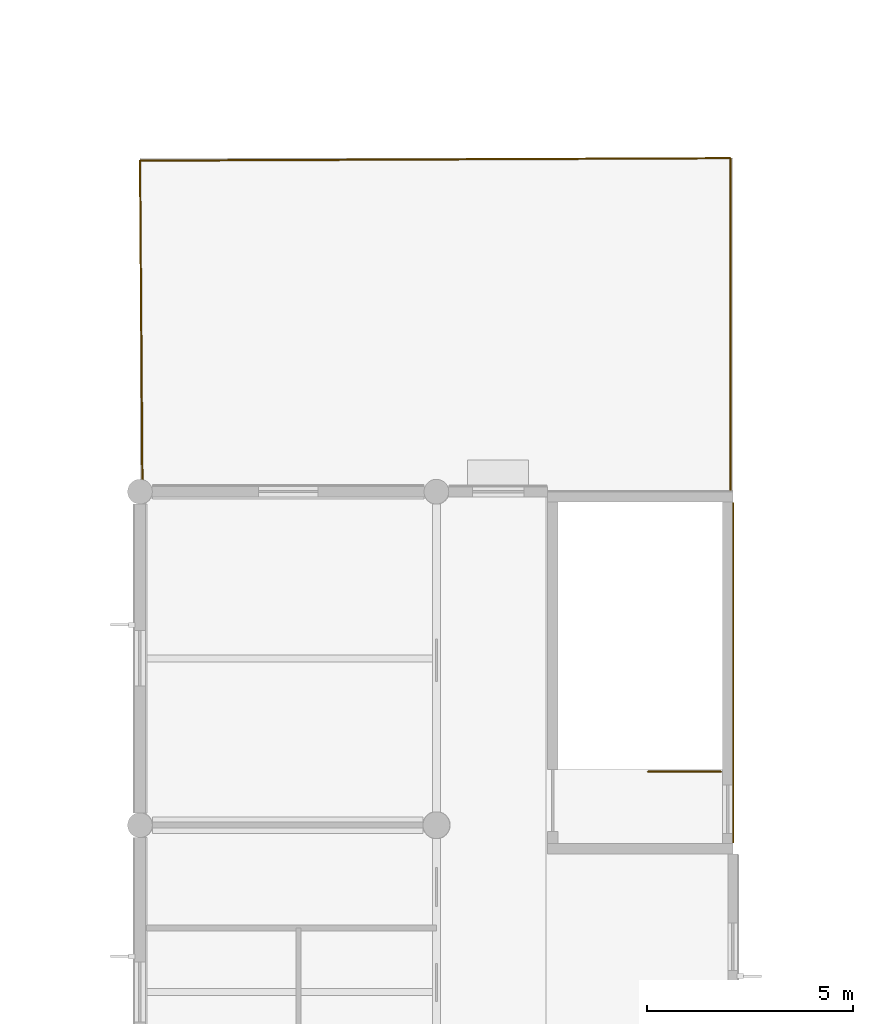
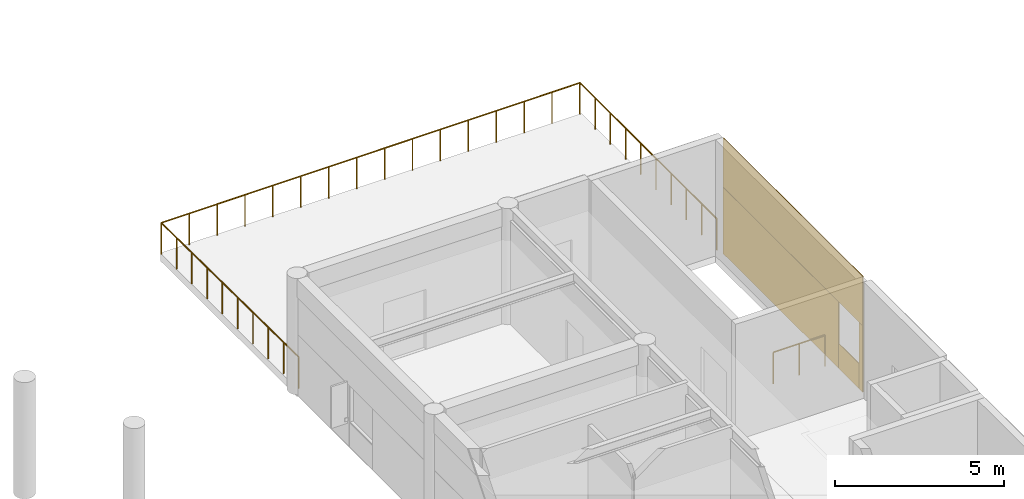
# One storey, part 55 of 55: 4 coverings, 2 railings.
"""IFC4 building model written with IfcOpenShell, lengths in metres."""

import ifcopenshell
import ifcopenshell.guid

model = None  # the IFC model being written
_history = None  # IfcOwnerHistory: only IFC2X3 demands one
_inside = {}  # id of a spatial element -> (the spatial element, [elements in it])
_under = {}  # id of a project, library or spatial element -> (it, [spatial elements below it])
_declared = {}  # id of a project -> (the project, [libraries it declares])
_typed = {}  # id of a type object -> (the type object, [elements of that type])
_made_of = {}  # id of a material, layer set ... -> (it, [elements and type objects made of it])


def new_model(schema):
    """Start an empty IFC model of exactly this schema.

    Asked for "IFC4X3", IfcOpenShell would pick the latest addendum, in which some entities
    have other attributes; the version numbers below select the first issue.
    IFC2X3 requires an IfcOwnerHistory on every rooted entity: one is made here for all.
    """
    global model, _history
    if schema == "IFC4X3":
        model = ifcopenshell.file(schema_version=(4, 3, 0, 0))
    else:
        model = ifcopenshell.file(schema=schema)
    _inside.clear()
    _under.clear()
    _declared.clear()
    _typed.clear()
    _made_of.clear()
    _history = None
    if model.schema == "IFC2X3":
        org = make("IfcOrganization", Name="unknown")
        user = make(
            "IfcPersonAndOrganization",
            ThePerson=make("IfcPerson", FamilyName="unknown"),
            TheOrganization=org,
        )
        app = make(
            "IfcApplication",
            ApplicationDeveloper=org,
            Version="unknown",
            ApplicationFullName="unknown",
            ApplicationIdentifier="unknown",
        )
        _history = make(
            "IfcOwnerHistory",
            OwningUser=user,
            OwningApplication=app,
            ChangeAction="ADDED",
            CreationDate=0,
        )
    return model


def make(cls, **values):
    """One entity of the class cls with the attributes given. An attribute that is None is left unset."""
    return model.create_entity(
        cls, **{name: value for name, value in values.items() if value is not None}
    )


def rooted(cls, **values):
    """An entity with a GlobalId (a new one), such as an element, a storey or a relation."""
    return make(cls, GlobalId=ifcopenshell.guid.new(), OwnerHistory=_history, **values)


def si_unit(unit_type, name, prefix=None):
    """IfcSIUnit, for example si_unit("LENGTHUNIT", "METRE", prefix="MILLI")."""
    return make("IfcSIUnit", UnitType=unit_type, Prefix=prefix, Name=name)


def assignment(units):
    """IfcUnitAssignment: the units of a project."""
    return None if units is None else make("IfcUnitAssignment", Units=units)


def point(xyz):
    """IfcCartesianPoint."""
    return None if xyz is None else make("IfcCartesianPoint", Coordinates=xyz)


def direction(xyz):
    """IfcDirection."""
    return None if xyz is None else make("IfcDirection", DirectionRatios=xyz)


def frame(location, z_axis=None, x_axis=None):
    """IfcAxis2Placement3D, a coordinate frame: its origin and axes. An axis left out is left unset."""
    return make(
        "IfcAxis2Placement3D",
        Location=point(location),
        Axis=direction(z_axis),
        RefDirection=direction(x_axis),
    )


def frame_2d(location, x_axis=None):
    """IfcAxis2Placement2D, a coordinate frame in the plane: its origin and x axis."""
    return make(
        "IfcAxis2Placement2D", Location=point(location), RefDirection=direction(x_axis)
    )


def origin():
    """The frame at (0, 0, 0) with its axes left unset."""
    return frame((0.0, 0.0, 0.0))


def origin_2d():
    """The frame at (0, 0) in the plane with its x axis left unset."""
    return frame_2d((0.0, 0.0))


def place(relative_to, where):
    """IfcLocalPlacement: puts the frame where relative to a parent placement (None: the world)."""
    return make(
        "IfcLocalPlacement", PlacementRelTo=relative_to, RelativePlacement=where
    )


def context(
    kind, dimensions, precision=None, world=None, true_north=None, identifier=None
):
    """IfcGeometricRepresentationContext, for example the 3D "Model" context."""
    return make(
        "IfcGeometricRepresentationContext",
        ContextIdentifier=identifier,
        ContextType=kind,
        CoordinateSpaceDimension=dimensions,
        Precision=precision,
        WorldCoordinateSystem=world,
        TrueNorth=true_north,
    )


def subcontext(parent, identifier, kind, view, scale=None):
    """IfcGeometricRepresentationSubContext, for example "Body" below "Model"."""
    return make(
        "IfcGeometricRepresentationSubContext",
        ContextIdentifier=identifier,
        ContextType=kind,
        ParentContext=parent,
        TargetScale=scale,
        TargetView=view,
    )


def project(units=None, contexts=None):
    """IfcProject with its units and contexts."""
    return rooted(
        "IfcProject",
        Name="project",
        RepresentationContexts=contexts,
        UnitsInContext=assignment(units),
    )


def spatial(cls, under=None, at=None, **own):
    """A site, building, storey or space (cls), placed at a placement, below another one or the project."""
    s = rooted(cls, ObjectPlacement=at, **own)
    if under is not None:
        _under.setdefault(under.id(), (under, []))[1].append(s)
    return s


def profile(cls, at=None, kind="AREA", **sizes):
    """A parametric profile (cls). Its sizes go by their IFC names, for example OverallWidth=200.0."""
    return make(cls, ProfileType=kind, Position=at, **sizes)


def rectangle(**sizes):
    """IfcRectangleProfileDef."""
    return profile("IfcRectangleProfileDef", **sizes)


def circle(**sizes):
    """IfcCircleProfileDef."""
    return profile("IfcCircleProfileDef", **sizes)


def extrude(swept, where, along, depth):
    """IfcExtrudedAreaSolid: the profile swept, set in the frame where, extruded along a direction by depth."""
    return make(
        "IfcExtrudedAreaSolid",
        SweptArea=swept,
        Position=where,
        ExtrudedDirection=direction(along),
        Depth=depth,
    )


def shape(context_of_items, identifier, shape_type, items):
    """IfcShapeRepresentation: the items that make up one representation, for example the "Body"."""
    return make(
        "IfcShapeRepresentation",
        ContextOfItems=context_of_items,
        RepresentationIdentifier=identifier,
        RepresentationType=shape_type,
        Items=items,
    )


def material(Name=None, Category=None):
    """IfcMaterial."""
    return make("IfcMaterial", Name=Name, Category=Category)


def layer(
    of_material, thickness, ventilated=None, Name=None, Category=None, Priority=None
):
    """IfcMaterialLayer: one layer of a wall or slab, of a material (None: an air gap)."""
    return make(
        "IfcMaterialLayer",
        Material=of_material,
        LayerThickness=thickness,
        IsVentilated=ventilated,
        Name=Name,
        Category=Category,
        Priority=Priority,
    )


def layer_set(layers, Name=None):
    """IfcMaterialLayerSet."""
    return make("IfcMaterialLayerSet", MaterialLayers=layers, LayerSetName=Name)


def made_of(thing, what):
    """Note that an element or type object is made of a material, layer set ...; save() writes the relation."""
    if what is not None:
        _made_of.setdefault(what.id(), (what, []))[1].append(thing)
    return thing


def type_object(cls, material=None, **own):
    """A type object (cls), such as IfcWallType, which elements share."""
    return made_of(rooted(cls, **own), material)


def element(
    cls,
    number,
    at=None,
    inside=None,
    cuts=None,
    type_object=None,
    material=None,
    context=None,
    identifier="Body",
    shape_type=None,
    held_by="IfcProductDefinitionShape",
    body=None,
    shapes=None,
    **own,
):
    """One element of the class cls, such as IfcWall. Its Tag is "e" and its number.

    at: its placement. inside: the storey or other place that contains it. cuts: it is an
    opening in that element (IfcRelVoidsElement). A single representation is given by context,
    identifier, shape_type and body (its items); several are given by shapes. held_by: the class
    of the entity that holds the representations. save() writes the other relations.
    """
    e = rooted(cls, Tag="e%d" % number, ObjectPlacement=at, **own)
    if body is not None:
        shapes = [shape(context, identifier, shape_type, body)]
    if shapes is not None:
        e.Representation = make(held_by, Representations=shapes)
    if inside is not None:
        _inside.setdefault(inside.id(), (inside, []))[1].append(e)
    if cuts is not None:
        rooted(
            "IfcRelVoidsElement", RelatingBuildingElement=cuts, RelatedOpeningElement=e
        )
    if type_object is not None:
        _typed.setdefault(type_object.id(), (type_object, []))[1].append(e)
    return made_of(e, material)


def aggregate(whole, parts):
    """IfcRelAggregates: a whole, such as a stair, and the parts it consists of."""
    return rooted("IfcRelAggregates", RelatingObject=whole, RelatedObjects=parts)


def save(model, path):
    """Write the relations noted so far, then the file.

    IfcRelAggregates (storeys below a building ...), IfcRelContainedInSpatialStructure (elements
    in a storey), IfcRelDefinesByType, IfcRelAssociatesMaterial and IfcRelDeclares: one each for
    every whole, place, type object, material and project.
    """
    for whole, parts in _under.values():
        aggregate(whole, parts)
    for where, things in _inside.values():
        rooted(
            "IfcRelContainedInSpatialStructure",
            RelatedElements=things,
            RelatingStructure=where,
        )
    for kind, things in _typed.values():
        rooted("IfcRelDefinesByType", RelatedObjects=things, RelatingType=kind)
    for what, things in _made_of.values():
        rooted("IfcRelAssociatesMaterial", RelatedObjects=things, RelatingMaterial=what)
    for by, libraries in _declared.values():
        rooted("IfcRelDeclares", RelatingContext=by, RelatedDefinitions=libraries)
    model.write(path)


model = new_model("IFC4")

# Units and contexts
model_context = context("Model", 3, precision=1e-05, world=origin(), true_north=direction((0.0, 1.0)))
body_context = subcontext(model_context, "Body", "Model", "MODEL_VIEW")
ifc_project = project(units=[si_unit("LENGTHUNIT", "METRE"), si_unit("AREAUNIT", "SQUARE_METRE"), si_unit("VOLUMEUNIT", "CUBIC_METRE"), si_unit("PLANEANGLEUNIT", "RADIAN"), si_unit("MASSUNIT", "GRAM", prefix="KILO")], contexts=[model_context])

# Site, building, storey
site_placement = place(None, origin())
site = spatial("IfcSite", under=ifc_project, at=site_placement, CompositionType="ELEMENT")
building_placement = place(site_placement, origin())
building = spatial("IfcBuilding", under=site, at=building_placement, Name="Namkhue Oval Health Centre", CompositionType="ELEMENT")
storey_placement = place(building_placement, frame((0.0, 0.0, 9.60009765625)))
storey = spatial("IfcBuildingStorey", under=building, at=storey_placement, Name="L02", CompositionType="ELEMENT", Elevation=9.60009765625)

# Railings
ifc_material_1 = material(Name="Brushed stainless steel 316L balustrade with laminated glass infill", Category="steel")
railing_type_1 = type_object("IfcRailingType", Name="EXTERIOR BALUSTRADE GUARD 1150", PredefinedType="BALUSTRADE", material=ifc_material_1)
railing_1_placement = place(storey_placement, frame((151.139892578125, 67.5, 0.0)))
element("IfcRailing", 1, at=railing_1_placement, inside=storey, type_object=railing_type_1, Name="Volume V6 L02 Terrace Balustrade Guard 1", PredefinedType="BALUSTRADE", context=body_context, shape_type="SweptSolid", body=[
    extrude(circle(Radius=0.02392578125, at=origin_2d()), frame((0.0, 0.0, 1.1259765625), z_axis=(0.0, 1.0, 0.0), x_axis=(-1.0, 0.0, 0.0)), (0.0, 0.0, 1.0), 8.10009765625),
    extrude(circle(Radius=0.02392578125, at=origin_2d()), frame((0.0, 8.10009765625, 1.1259765625), z_axis=(-0.999991229471, -0.004188195356, 0.0), x_axis=(0.004188195356, -0.999991229471, 0.0)), (0.0, 0.0, 1.0), 14.340087890625),
    extrude(circle(Radius=0.02392578125, at=origin_2d()), frame((-14.33984375, 8.0400390625, 1.1259765625), z_axis=(0.007469729652, -0.99997210118, 0.0), x_axis=(0.99997210118, 0.007469729652, 0.0)), (0.0, 0.0, 1.0), 8.040283203125),
    extrude(circle(Radius=0.02099609375, at=origin_2d()), origin(), (0.0, 0.0, 1.0), 1.101806640625),
    extrude(circle(Radius=0.02099609375, at=origin_2d()), frame((0.0, 0.89990234375, 0.0)), (0.0, 0.0, 1.0), 1.101806640625),
    extrude(circle(Radius=0.02099609375, at=origin_2d()), frame((0.0, 1.800048828125, 0.0)), (0.0, 0.0, 1.0), 1.101806640625),
    extrude(circle(Radius=0.02099609375, at=origin_2d()), frame((0.0, 2.699951171875, 0.0)), (0.0, 0.0, 1.0), 1.101806640625),
    extrude(circle(Radius=0.02099609375, at=origin_2d()), frame((0.0, 3.60009765625, 0.0)), (0.0, 0.0, 1.0), 1.101806640625),
    extrude(circle(Radius=0.02099609375, at=origin_2d()), frame((0.0, 4.5, 0.0)), (0.0, 0.0, 1.0), 1.101806640625),
    extrude(circle(Radius=0.02099609375, at=origin_2d()), frame((0.0, 5.400146484375, 0.0)), (0.0, 0.0, 1.0), 1.101806640625),
    extrude(circle(Radius=0.02099609375, at=origin_2d()), frame((0.0, 6.300048828125, 0.0)), (0.0, 0.0, 1.0), 1.101806640625),
    extrude(circle(Radius=0.02099609375, at=origin_2d()), frame((0.0, 7.2001953125, 0.0)), (0.0, 0.0, 1.0), 1.101806640625),
    extrude(circle(Radius=0.02099609375, at=origin_2d()), frame((0.0, 8.10009765625, 0.0)), (0.0, 0.0, 1.0), 1.101806640625),
    extrude(circle(Radius=0.02099609375, at=origin_2d()), frame((-0.9560546875, 8.09619140625, 0.0)), (0.0, 0.0, 1.0), 1.101806640625),
    extrude(circle(Radius=0.02099609375, at=origin_2d()), frame((-1.911865234375, 8.092041015625, 0.0)), (0.0, 0.0, 1.0), 1.101806640625),
    extrude(circle(Radius=0.02099609375, at=origin_2d()), frame((-2.867919921875, 8.088134765625, 0.0)), (0.0, 0.0, 1.0), 1.101806640625),
    extrude(circle(Radius=0.02099609375, at=origin_2d()), frame((-3.823974609375, 8.083984375, 0.0)), (0.0, 0.0, 1.0), 1.101806640625),
    extrude(circle(Radius=0.02099609375, at=origin_2d()), frame((-4.780029296875, 8.080078125, 0.0)), (0.0, 0.0, 1.0), 1.101806640625),
    extrude(circle(Radius=0.02099609375, at=origin_2d()), frame((-5.73583984375, 8.076171875, 0.0)), (0.0, 0.0, 1.0), 1.101806640625),
    extrude(circle(Radius=0.02099609375, at=origin_2d()), frame((-6.69189453125, 8.072021484375, 0.0)), (0.0, 0.0, 1.0), 1.101806640625),
    extrude(circle(Radius=0.02099609375, at=origin_2d()), frame((-7.64794921875, 8.068115234375, 0.0)), (0.0, 0.0, 1.0), 1.101806640625),
    extrude(circle(Radius=0.02099609375, at=origin_2d()), frame((-8.60400390625, 8.06396484375, 0.0)), (0.0, 0.0, 1.0), 1.101806640625),
    extrude(circle(Radius=0.02099609375, at=origin_2d()), frame((-9.559814453125, 8.06005859375, 0.0)), (0.0, 0.0, 1.0), 1.101806640625),
    extrude(circle(Radius=0.02099609375, at=origin_2d()), frame((-10.515869140625, 8.05615234375, 0.0)), (0.0, 0.0, 1.0), 1.101806640625),
    extrude(circle(Radius=0.02099609375, at=origin_2d()), frame((-11.471923828125, 8.052001953125, 0.0)), (0.0, 0.0, 1.0), 1.101806640625),
    extrude(circle(Radius=0.02099609375, at=origin_2d()), frame((-12.427978515625, 8.048095703125, 0.0)), (0.0, 0.0, 1.0), 1.101806640625),
    extrude(circle(Radius=0.02099609375, at=origin_2d()), frame((-13.3837890625, 8.0439453125, 0.0)), (0.0, 0.0, 1.0), 1.101806640625),
    extrude(circle(Radius=0.02099609375, at=origin_2d()), frame((-14.33984375, 8.0400390625, 0.0)), (0.0, 0.0, 1.0), 1.101806640625),
    extrude(circle(Radius=0.02099609375, at=origin_2d()), frame((-14.333251953125, 7.146728515625, 0.0)), (0.0, 0.0, 1.0), 1.101806640625),
    extrude(circle(Radius=0.02099609375, at=origin_2d()), frame((-14.326416015625, 6.25341796875, 0.0)), (0.0, 0.0, 1.0), 1.101806640625),
    extrude(circle(Radius=0.02099609375, at=origin_2d()), frame((-14.31982421875, 5.360107421875, 0.0)), (0.0, 0.0, 1.0), 1.101806640625),
    extrude(circle(Radius=0.02099609375, at=origin_2d()), frame((-14.313232421875, 4.466796875, 0.0)), (0.0, 0.0, 1.0), 1.101806640625),
    extrude(circle(Radius=0.02099609375, at=origin_2d()), frame((-14.306396484375, 3.5732421875, 0.0)), (0.0, 0.0, 1.0), 1.101806640625),
    extrude(circle(Radius=0.02099609375, at=origin_2d()), frame((-14.2998046875, 2.679931640625, 0.0)), (0.0, 0.0, 1.0), 1.101806640625),
    extrude(circle(Radius=0.02099609375, at=origin_2d()), frame((-14.293212890625, 1.78662109375, 0.0)), (0.0, 0.0, 1.0), 1.101806640625),
    extrude(circle(Radius=0.02099609375, at=origin_2d()), frame((-14.286376953125, 0.893310546875, 0.0)), (0.0, 0.0, 1.0), 1.101806640625),
    extrude(circle(Radius=0.02099609375, at=origin_2d()), frame((-14.27978515625, 0.0, 0.0)), (0.0, 0.0, 1.0), 1.101806640625),
])
railing_type_2 = type_object("IfcRailingType", Name="INTERIOR BALUSTRADE GUARD 1150", PredefinedType="BALUSTRADE", material=ifc_material_1)
railing_2_placement = place(storey_placement, frame((149.139892578125, 60.699951171875, 0.0)))
element("IfcRailing", 2, at=railing_2_placement, inside=storey, type_object=railing_type_2, Name="Stair ST-12 L02 Landing Well Edge Guard", PredefinedType="BALUSTRADE", context=body_context, shape_type="SweptSolid", body=[
    extrude(circle(Radius=0.02392578125, at=origin_2d()), frame((0.0, 0.0, 1.1259765625), z_axis=(1.0, 0.0, 0.0), x_axis=(0.0, 1.0, 0.0)), (0.0, 0.0, 1.0), 1.77001953125),
    extrude(circle(Radius=0.02099609375, at=origin_2d()), origin(), (0.0, 0.0, 1.0), 1.101806640625),
    extrude(circle(Radius=0.02099609375, at=origin_2d()), frame((0.885009765625, 0.0, 0.0)), (0.0, 0.0, 1.0), 1.101806640625),
    extrude(circle(Radius=0.02099609375, at=origin_2d()), frame((1.77001953125, 0.0, 0.0)), (0.0, 0.0, 1.0), 1.101806640625),
])

# Coverings
ifc_material_2 = material(Name="White glass-fibre reinforced concrete GRC rainscreen cladding", Category="concrete")
ifc_layer = layer(ifc_material_2, 0.02490234375)
ifc_layer_set = layer_set([ifc_layer], Name="White glass-fibre reinforced concrete GRC rainscreen cladding")
covering_type = type_object("IfcCoveringType", Name="WHITE GRC RAINSCREEN CLADDING 25", PredefinedType="CLADDING", material=ifc_layer_set)
covering_1_placement = place(storey_placement, frame((151.2119140625, 63.10009765625, 2.4150390625), z_axis=(0.0, 0.0, 1.0), x_axis=(0.0, 1.0, 0.0)))
element("IfcCovering", 3, at=covering_1_placement, inside=storey, type_object=covering_type, Name="Core SC-12 L02 Core E White GRC Cladding 1", PredefinedType="CLADDING", context=body_context, shape_type="SweptSolid", body=[
    extrude(rectangle(XDim=8.260009765625, YDim=0.02490234375, at=origin_2d()), origin(), (0.0, 0.0, 1.0), 1.77490234375),
])
covering_2_placement = place(storey_placement, frame((151.2119140625, 59.077392578125, 0.010009765625), z_axis=(0.0, 0.0, 1.0), x_axis=(0.0, 1.0, 0.0)))
element("IfcCovering", 4, at=covering_2_placement, inside=storey, type_object=covering_type, Name="Core SC-12 L02 Core E White GRC Cladding 2", PredefinedType="CLADDING", context=body_context, shape_type="SweptSolid", body=[
    extrude(rectangle(XDim=0.215087890625, YDim=0.02490234375, at=origin_2d()), origin(), (0.0, 0.0, 1.0), 2.39990234375),
])
covering_3_placement = place(storey_placement, frame((151.2119140625, 59.7900390625, 0.010009765625), z_axis=(0.0, 0.0, 1.0), x_axis=(0.0, 1.0, 0.0)))
element("IfcCovering", 5, at=covering_3_placement, inside=storey, type_object=covering_type, Name="Core SC-12 L02 Core E White GRC Cladding 3", PredefinedType="CLADDING", context=body_context, shape_type="SweptSolid", body=[
    extrude(rectangle(XDim=1.199951171875, YDim=0.02490234375, at=origin_2d()), origin(), (0.0, 0.0, 1.0), 0.89501953125),
])
covering_4_placement = place(storey_placement, frame((151.2119140625, 63.8125, 0.010009765625), z_axis=(0.0, 0.0, 1.0), x_axis=(0.0, 1.0, 0.0)))
element("IfcCovering", 6, at=covering_4_placement, inside=storey, type_object=covering_type, Name="Core SC-12 L02 Core E White GRC Cladding 4", PredefinedType="CLADDING", context=body_context, shape_type="SweptSolid", body=[
    extrude(rectangle(XDim=6.8349609375, YDim=0.02490234375, at=origin_2d()), origin(), (0.0, 0.0, 1.0), 2.39990234375),
])

save(model, "model.ifc")
